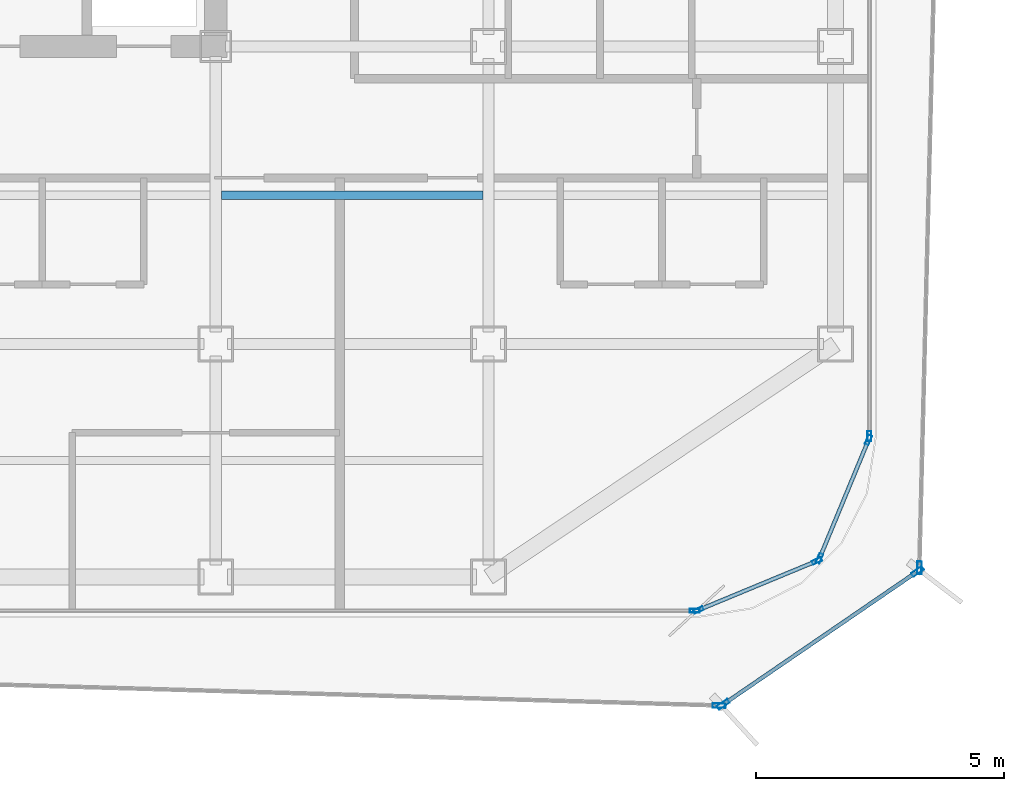
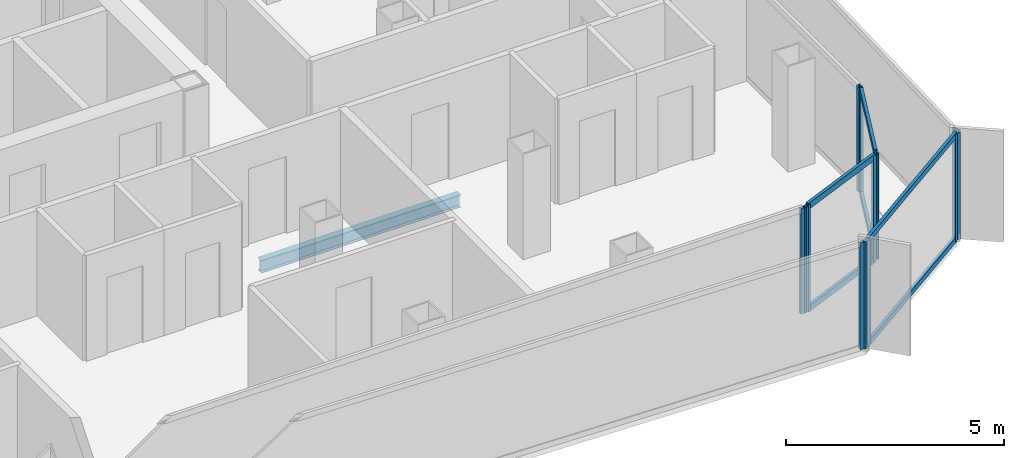
# One storey, part 4 of 15: 16 members, 1 beam, 7 elements without a shape of their own.
"""IFC4 building model written with IfcOpenShell, lengths in metres."""

import ifcopenshell
import ifcopenshell.guid

model = None  # the IFC model being written
_history = None  # IfcOwnerHistory: only IFC2X3 demands one
_inside = {}  # id of a spatial element -> (the spatial element, [elements in it])
_under = {}  # id of a project, library or spatial element -> (it, [spatial elements below it])
_declared = {}  # id of a project -> (the project, [libraries it declares])
_typed = {}  # id of a type object -> (the type object, [elements of that type])
_made_of = {}  # id of a material, layer set ... -> (it, [elements and type objects made of it])


def new_model(schema):
    """Start an empty IFC model of exactly this schema.

    Asked for "IFC4X3", IfcOpenShell would pick the latest addendum, in which some entities
    have other attributes; the version numbers below select the first issue.
    IFC2X3 requires an IfcOwnerHistory on every rooted entity: one is made here for all.
    """
    global model, _history
    if schema == "IFC4X3":
        model = ifcopenshell.file(schema_version=(4, 3, 0, 0))
    else:
        model = ifcopenshell.file(schema=schema)
    _inside.clear()
    _under.clear()
    _declared.clear()
    _typed.clear()
    _made_of.clear()
    _history = None
    if model.schema == "IFC2X3":
        org = make("IfcOrganization", Name="unknown")
        user = make(
            "IfcPersonAndOrganization",
            ThePerson=make("IfcPerson", FamilyName="unknown"),
            TheOrganization=org,
        )
        app = make(
            "IfcApplication",
            ApplicationDeveloper=org,
            Version="unknown",
            ApplicationFullName="unknown",
            ApplicationIdentifier="unknown",
        )
        _history = make(
            "IfcOwnerHistory",
            OwningUser=user,
            OwningApplication=app,
            ChangeAction="ADDED",
            CreationDate=0,
        )
    return model


def make(cls, **values):
    """One entity of the class cls with the attributes given. An attribute that is None is left unset."""
    return model.create_entity(
        cls, **{name: value for name, value in values.items() if value is not None}
    )


def rooted(cls, **values):
    """An entity with a GlobalId (a new one), such as an element, a storey or a relation."""
    return make(cls, GlobalId=ifcopenshell.guid.new(), OwnerHistory=_history, **values)


def si_unit(unit_type, name, prefix=None):
    """IfcSIUnit, for example si_unit("LENGTHUNIT", "METRE", prefix="MILLI")."""
    return make("IfcSIUnit", UnitType=unit_type, Prefix=prefix, Name=name)


def assignment(units):
    """IfcUnitAssignment: the units of a project."""
    return None if units is None else make("IfcUnitAssignment", Units=units)


def point(xyz):
    """IfcCartesianPoint."""
    return None if xyz is None else make("IfcCartesianPoint", Coordinates=xyz)


def direction(xyz):
    """IfcDirection."""
    return None if xyz is None else make("IfcDirection", DirectionRatios=xyz)


def frame(location, z_axis=None, x_axis=None):
    """IfcAxis2Placement3D, a coordinate frame: its origin and axes. An axis left out is left unset."""
    return make(
        "IfcAxis2Placement3D",
        Location=point(location),
        Axis=direction(z_axis),
        RefDirection=direction(x_axis),
    )


def frame_2d(location, x_axis=None):
    """IfcAxis2Placement2D, a coordinate frame in the plane: its origin and x axis."""
    return make(
        "IfcAxis2Placement2D", Location=point(location), RefDirection=direction(x_axis)
    )


def origin():
    """The frame at (0, 0, 0) with its axes left unset."""
    return frame((0.0, 0.0, 0.0))


def origin_2d():
    """The frame at (0, 0) in the plane with its x axis left unset."""
    return frame_2d((0.0, 0.0))


def place(relative_to, where):
    """IfcLocalPlacement: puts the frame where relative to a parent placement (None: the world)."""
    return make(
        "IfcLocalPlacement", PlacementRelTo=relative_to, RelativePlacement=where
    )


def context(
    kind, dimensions, precision=None, world=None, true_north=None, identifier=None
):
    """IfcGeometricRepresentationContext, for example the 3D "Model" context."""
    return make(
        "IfcGeometricRepresentationContext",
        ContextIdentifier=identifier,
        ContextType=kind,
        CoordinateSpaceDimension=dimensions,
        Precision=precision,
        WorldCoordinateSystem=world,
        TrueNorth=true_north,
    )


def subcontext(parent, identifier, kind, view, scale=None):
    """IfcGeometricRepresentationSubContext, for example "Body" below "Model"."""
    return make(
        "IfcGeometricRepresentationSubContext",
        ContextIdentifier=identifier,
        ContextType=kind,
        ParentContext=parent,
        TargetScale=scale,
        TargetView=view,
    )


def project(units=None, contexts=None):
    """IfcProject with its units and contexts."""
    return rooted(
        "IfcProject",
        Name="project",
        RepresentationContexts=contexts,
        UnitsInContext=assignment(units),
    )


def spatial(cls, under=None, at=None, **own):
    """A site, building, storey or space (cls), placed at a placement, below another one or the project."""
    s = rooted(cls, ObjectPlacement=at, **own)
    if under is not None:
        _under.setdefault(under.id(), (under, []))[1].append(s)
    return s


def profile(cls, at=None, kind="AREA", **sizes):
    """A parametric profile (cls). Its sizes go by their IFC names, for example OverallWidth=200.0."""
    return make(cls, ProfileType=kind, Position=at, **sizes)


def hollow_rectangle(**sizes):
    """IfcRectangleHollowProfileDef."""
    return profile("IfcRectangleHollowProfileDef", **sizes)


def i_section(**sizes):
    """IfcIShapeProfileDef."""
    return profile("IfcIShapeProfileDef", **sizes)


def extrude(swept, where, along, depth):
    """IfcExtrudedAreaSolid: the profile swept, set in the frame where, extruded along a direction by depth."""
    return make(
        "IfcExtrudedAreaSolid",
        SweptArea=swept,
        Position=where,
        ExtrudedDirection=direction(along),
        Depth=depth,
    )


def shape(context_of_items, identifier, shape_type, items):
    """IfcShapeRepresentation: the items that make up one representation, for example the "Body"."""
    return make(
        "IfcShapeRepresentation",
        ContextOfItems=context_of_items,
        RepresentationIdentifier=identifier,
        RepresentationType=shape_type,
        Items=items,
    )


def source(mapping_origin, context_of_items, identifier, shape_type, items):
    """IfcRepresentationMap: a shape defined once, which mapped items show again and again."""
    return make(
        "IfcRepresentationMap",
        MappingOrigin=mapping_origin,
        MappedRepresentation=shape(context_of_items, identifier, shape_type, items),
    )


def transform(
    local_origin,
    x_axis=None,
    y_axis=None,
    z_axis=None,
    scale=None,
    scale2=None,
    scale3=None,
    uniform=True,
):
    """IfcCartesianTransformationOperator3D, or its non-uniform kind. x_axis, y_axis, z_axis: its Axis1, 2, 3."""
    if uniform:
        return make(
            "IfcCartesianTransformationOperator3D",
            Axis1=direction(x_axis),
            Axis2=direction(y_axis),
            LocalOrigin=point(local_origin),
            Scale=scale,
            Axis3=direction(z_axis),
        )
    return make(
        "IfcCartesianTransformationOperator3DnonUniform",
        Axis1=direction(x_axis),
        Axis2=direction(y_axis),
        LocalOrigin=point(local_origin),
        Scale=scale,
        Axis3=direction(z_axis),
        Scale2=scale2,
        Scale3=scale3,
    )


def mapped(mapping_source, mapping_target):
    """IfcMappedItem: shows the shape of a source again, moved by a transform."""
    return make(
        "IfcMappedItem", MappingSource=mapping_source, MappingTarget=mapping_target
    )


def material(Name=None, Category=None):
    """IfcMaterial."""
    return make("IfcMaterial", Name=Name, Category=Category)


def layer(
    of_material, thickness, ventilated=None, Name=None, Category=None, Priority=None
):
    """IfcMaterialLayer: one layer of a wall or slab, of a material (None: an air gap)."""
    return make(
        "IfcMaterialLayer",
        Material=of_material,
        LayerThickness=thickness,
        IsVentilated=ventilated,
        Name=Name,
        Category=Category,
        Priority=Priority,
    )


def layer_set(layers, Name=None):
    """IfcMaterialLayerSet."""
    return make("IfcMaterialLayerSet", MaterialLayers=layers, LayerSetName=Name)


def material_profile(
    of_material, cross_section, Name=None, Category=None, Priority=None
):
    """IfcMaterialProfile: a cross section and its material."""
    return make(
        "IfcMaterialProfile",
        Name=Name,
        Material=of_material,
        Profile=cross_section,
        Priority=Priority,
        Category=Category,
    )


def profile_set(profiles, Name=None, composite=None):
    """IfcMaterialProfileSet."""
    return make(
        "IfcMaterialProfileSet",
        Name=Name,
        MaterialProfiles=profiles,
        CompositeProfile=composite,
    )


def made_of(thing, what):
    """Note that an element or type object is made of a material, layer set ...; save() writes the relation."""
    if what is not None:
        _made_of.setdefault(what.id(), (what, []))[1].append(thing)
    return thing


def type_object(cls, material=None, **own):
    """A type object (cls), such as IfcWallType, which elements share."""
    return made_of(rooted(cls, **own), material)


def element(
    cls,
    number,
    at=None,
    inside=None,
    cuts=None,
    type_object=None,
    material=None,
    context=None,
    identifier="Body",
    shape_type=None,
    held_by="IfcProductDefinitionShape",
    body=None,
    shapes=None,
    **own,
):
    """One element of the class cls, such as IfcWall. Its Tag is "e" and its number.

    at: its placement. inside: the storey or other place that contains it. cuts: it is an
    opening in that element (IfcRelVoidsElement). A single representation is given by context,
    identifier, shape_type and body (its items); several are given by shapes. held_by: the class
    of the entity that holds the representations. save() writes the other relations.
    """
    e = rooted(cls, Tag="e%d" % number, ObjectPlacement=at, **own)
    if body is not None:
        shapes = [shape(context, identifier, shape_type, body)]
    if shapes is not None:
        e.Representation = make(held_by, Representations=shapes)
    if inside is not None:
        _inside.setdefault(inside.id(), (inside, []))[1].append(e)
    if cuts is not None:
        rooted(
            "IfcRelVoidsElement", RelatingBuildingElement=cuts, RelatedOpeningElement=e
        )
    if type_object is not None:
        _typed.setdefault(type_object.id(), (type_object, []))[1].append(e)
    return made_of(e, material)


def aggregate(whole, parts):
    """IfcRelAggregates: a whole, such as a stair, and the parts it consists of."""
    return rooted("IfcRelAggregates", RelatingObject=whole, RelatedObjects=parts)


def save(model, path):
    """Write the relations noted so far, then the file.

    IfcRelAggregates (storeys below a building ...), IfcRelContainedInSpatialStructure (elements
    in a storey), IfcRelDefinesByType, IfcRelAssociatesMaterial and IfcRelDeclares: one each for
    every whole, place, type object, material and project.
    """
    for whole, parts in _under.values():
        aggregate(whole, parts)
    for where, things in _inside.values():
        rooted(
            "IfcRelContainedInSpatialStructure",
            RelatedElements=things,
            RelatingStructure=where,
        )
    for kind, things in _typed.values():
        rooted("IfcRelDefinesByType", RelatedObjects=things, RelatingType=kind)
    for what, things in _made_of.values():
        rooted("IfcRelAssociatesMaterial", RelatedObjects=things, RelatingMaterial=what)
    for by, libraries in _declared.values():
        rooted("IfcRelDeclares", RelatingContext=by, RelatedDefinitions=libraries)
    model.write(path)


model = new_model("IFC4")

# Units and contexts
model_context = context("Model", 3, precision=1e-05, world=origin(), true_north=direction((0.0, 1.0)))
body_context = subcontext(model_context, "Body", "Model", "MODEL_VIEW")
ifc_project = project(units=[si_unit("LENGTHUNIT", "METRE"), si_unit("AREAUNIT", "SQUARE_METRE"), si_unit("VOLUMEUNIT", "CUBIC_METRE"), si_unit("PLANEANGLEUNIT", "RADIAN"), si_unit("MASSUNIT", "GRAM", prefix="KILO")], contexts=[model_context])

# Site, building, storey
site_placement = place(None, origin())
site = spatial("IfcSite", under=ifc_project, at=site_placement, CompositionType="ELEMENT")
building_placement = place(site_placement, origin())
building = spatial("IfcBuilding", under=site, at=building_placement, Name="Kolveth Station Tower", CompositionType="ELEMENT")
storey_placement = place(building_placement, frame((0.0, 0.0, 202.800048828125)))
storey = spatial("IfcBuildingStorey", under=building, at=storey_placement, Name="L57", CompositionType="ELEMENT", Elevation=202.800048828125)

# Beam
ifc_material_1 = material(Name="Steel S355", Category="steel")
ifc_material_profile_1 = material_profile(ifc_material_1, i_section(OverallWidth=0.1708984375, OverallDepth=0.35205078125, WebThickness=0.0068359375, FlangeThickness=0.009765625, at=origin_2d()), Name="W360x44")
ifc_profile_set_1 = profile_set([ifc_material_profile_1], Name="Steel S355")
beam_type = type_object("IfcBeamType", Name="Beam_J2", PredefinedType="JOIST", material=ifc_profile_set_1)
shared_shape_1 = source(origin(), body_context, "Body", "SweptSolid", [
    extrude(i_section(OverallWidth=0.1708984375, OverallDepth=0.35205078125, WebThickness=0.0068359375, FlangeThickness=0.009765625, at=origin_2d()), origin(), (0.0, 0.0, 1.0), 5.27490234375),
])
beam_placement = place(storey_placement, frame((28.612548828125, 8.5, -0.426025390625), z_axis=(1.0, 0.0, 0.0), x_axis=(0.0, 1.0, 0.0)))
element("IfcBeam", 1, at=beam_placement, inside=storey, type_object=beam_type, Name="L57 Secondary Joist JST-L57-5-2", PredefinedType="JOIST", context=body_context, shape_type="MappedRepresentation", body=[
    mapped(shared_shape_1, transform((0.0, 0.0, 0.0), x_axis=(1.0, 0.0, 0.0), y_axis=(0.0, 1.0, 0.0), z_axis=(0.0, 0.0, 1.0), scale=1.0)),
])

# Curtain wall, members
ifc_material_2 = material(Name="Aluminium 6063-T6 and low-E dark glass", Category="aluminium")
ifc_layer_1 = layer(ifc_material_2, 0.18994140625)
ifc_layer_set_1 = layer_set([ifc_layer_1], Name="Aluminium 6063-T6 and low-E dark glass")
curtain_wall_type_1 = type_object("IfcCurtainWallType", Name="CurtainWall_CW-Z2", PredefinedType="NOTDEFINED", material=ifc_layer_set_1)
curtain_wall_1_placement = place(storey_placement, origin())
curtain_wall_1 = element("IfcCurtainWall", 2, at=curtain_wall_1_placement, inside=storey, type_object=curtain_wall_type_1, Name="L57 Inner Thermal Curtain Wall 1", PredefinedType="NOTDEFINED")
ifc_material_3 = material(Name="Black anodized aluminium 6063-T6", Category="aluminium")
ifc_material_profile_2 = material_profile(ifc_material_3, hollow_rectangle(XDim=0.080078125, YDim=0.199951171875, WallThickness=0.0048828125, at=origin_2d()), Name="ALU-80x200x5")
ifc_profile_set_2 = profile_set([ifc_material_profile_2], Name="Black anodized aluminium 6063-T6")
member_type_1 = type_object("IfcMemberType", Name="Mullion_ML2", PredefinedType="MULLION", material=ifc_profile_set_2)
shared_shape_2 = source(origin(), body_context, "Body", "SweptSolid", [
    extrude(hollow_rectangle(XDim=0.080078125, YDim=0.199951171875, WallThickness=0.0048828125, at=origin_2d()), origin(), (0.0, 0.0, 1.0), 2.949951171875),
])
member_1_placement = place(storey_placement, frame((38.237060546875, 0.13525390625, 0.0), z_axis=(0.0, 0.0, 1.0), x_axis=(-0.382697753087, 0.923873600544, 0.0)))
member_1 = element("IfcMember", 3, at=member_1_placement, type_object=member_type_1, Name="CW-Z2 mullion 1", PredefinedType="MULLION", context=body_context, shape_type="MappedRepresentation", body=[
    mapped(shared_shape_2, transform((0.0, 0.0, 0.0), x_axis=(1.0, 0.0, 0.0), y_axis=(0.0, 1.0, 0.0), z_axis=(0.0, 0.0, 1.0), scale=1.0)),
])
member_2_placement = place(storey_placement, frame((40.623779296875, 1.1240234375, 0.0), z_axis=(0.0, 0.0, 1.0), x_axis=(-0.382697753087, 0.923873600544, 0.0)))
member_2 = element("IfcMember", 4, at=member_2_placement, type_object=member_type_1, Name="CW-Z2 mullion 2", PredefinedType="MULLION", context=body_context, shape_type="MappedRepresentation", body=[
    mapped(shared_shape_2, transform((0.0, 0.0, 0.0), x_axis=(1.0, 0.0, 0.0), y_axis=(0.0, 1.0, 0.0), z_axis=(0.0, 0.0, 1.0), scale=1.0)),
])

curtain_wall_2_placement = place(storey_placement, origin())
curtain_wall_2 = element("IfcCurtainWall", 5, at=curtain_wall_2_placement, inside=storey, type_object=curtain_wall_type_1, Name="L57 Inner Thermal Curtain Wall 2", PredefinedType="NOTDEFINED")
member_3_placement = place(storey_placement, frame((40.676025390625, 1.17626953125, 0.0), z_axis=(0.0, 0.0, 1.0), x_axis=(-0.923873600544, 0.382697753087, 0.0)))
member_3 = element("IfcMember", 6, at=member_3_placement, type_object=member_type_1, Name="CW-Z2 mullion 1", PredefinedType="MULLION", context=body_context, shape_type="MappedRepresentation", body=[
    mapped(shared_shape_2, transform((0.0, 0.0, 0.0), x_axis=(1.0, 0.0, 0.0), y_axis=(0.0, 1.0, 0.0), z_axis=(0.0, 0.0, 1.0), scale=1.0)),
])
member_4_placement = place(storey_placement, frame((41.664794921875, 3.56298828125, 0.0), z_axis=(0.0, 0.0, 1.0), x_axis=(-0.923873600544, 0.382697753087, 0.0)))
member_4 = element("IfcMember", 7, at=member_4_placement, type_object=member_type_1, Name="CW-Z2 mullion 2", PredefinedType="MULLION", context=body_context, shape_type="MappedRepresentation", body=[
    mapped(shared_shape_2, transform((0.0, 0.0, 0.0), x_axis=(1.0, 0.0, 0.0), y_axis=(0.0, 1.0, 0.0), z_axis=(0.0, 0.0, 1.0), scale=1.0)),
])

# Curtain wall, member
curtain_wall_3_placement = place(storey_placement, origin())
curtain_wall_3 = element("IfcCurtainWall", 8, at=curtain_wall_3_placement, inside=storey, type_object=curtain_wall_type_1, Name="L57 Inner Thermal Curtain Wall 3", PredefinedType="NOTDEFINED")
member_5_placement = place(storey_placement, frame((41.679931640625, 3.639892578125, 0.0), z_axis=(0.0, 0.0, 1.0), x_axis=(-1.0, 0.0, 0.0)))
member_5 = element("IfcMember", 9, at=member_5_placement, type_object=member_type_1, Name="CW-Z2 mullion 1", PredefinedType="MULLION", context=body_context, shape_type="MappedRepresentation", body=[
    mapped(shared_shape_2, transform((0.0, 0.0, 0.0), x_axis=(1.0, 0.0, 0.0), y_axis=(0.0, 1.0, 0.0), z_axis=(0.0, 0.0, 1.0), scale=1.0)),
])
aggregate(curtain_wall_3, [member_5])

curtain_wall_4_placement = place(storey_placement, origin())
curtain_wall_4 = element("IfcCurtainWall", 10, at=curtain_wall_4_placement, inside=storey, type_object=curtain_wall_type_1, Name="L57 Inner Thermal Curtain Wall 12", PredefinedType="NOTDEFINED")
member_6_placement = place(storey_placement, frame((38.159912109375, 0.1201171875, 0.0), z_axis=(0.0, 0.0, 1.0), x_axis=(0.0, 1.0, 0.0)))
member_6 = element("IfcMember", 11, at=member_6_placement, type_object=member_type_1, Name="CW-Z2 mullion 2", PredefinedType="MULLION", context=body_context, shape_type="MappedRepresentation", body=[
    mapped(shared_shape_2, transform((0.0, 0.0, 0.0), x_axis=(1.0, 0.0, 0.0), y_axis=(0.0, 1.0, 0.0), z_axis=(0.0, 0.0, 1.0), scale=1.0)),
])
aggregate(curtain_wall_4, [member_6])

# Curtain wall, members
ifc_material_4 = material(Name="Black anodized aluminium 6063-T6 and dark solar glass", Category="aluminium")
ifc_layer_2 = layer(ifc_material_4, 0.159912109375)
ifc_layer_set_2 = layer_set([ifc_layer_2], Name="Black anodized aluminium 6063-T6 and dark solar glass")
curtain_wall_type_2 = type_object("IfcCurtainWallType", Name="OUTER SKIN CW-OS", PredefinedType="NOTDEFINED", material=ifc_layer_set_2)
curtain_wall_5_placement = place(storey_placement, origin())
curtain_wall_5 = element("IfcCurtainWall", 12, at=curtain_wall_5_placement, inside=storey, type_object=curtain_wall_type_2, Name="L57 Outer Ventilated Skin Curtain Wall 1", PredefinedType="NOTDEFINED")
ifc_material_profile_3 = material_profile(ifc_material_3, hollow_rectangle(XDim=0.090087890625, YDim=0.260009765625, WallThickness=0.0048828125, at=origin_2d()), Name="ALU-90x260x5")
ifc_profile_set_3 = profile_set([ifc_material_profile_3], Name="Black anodized aluminium 6063-T6")
member_type_2 = type_object("IfcMemberType", Name="FIN MULLION ML-OS", PredefinedType="MULLION", material=ifc_profile_set_3)
shared_shape_3 = source(origin(), body_context, "Body", "SweptSolid", [
    extrude(hollow_rectangle(XDim=0.090087890625, YDim=0.260009765625, WallThickness=0.0048828125, at=origin_2d()), origin(), (0.0, 0.0, 1.0), 2.989990234375),
])
member_7_placement = place(storey_placement, frame((38.733642578125, -1.76953125, 0.0), z_axis=(0.0, 0.0, 1.0), x_axis=(-0.564840897439, 0.825199830696, 0.0)))
member_7 = element("IfcMember", 13, at=member_7_placement, type_object=member_type_2, Name="CW-OS mullion 1", PredefinedType="MULLION", context=body_context, shape_type="MappedRepresentation", body=[
    mapped(shared_shape_3, transform((0.0, 0.0, 0.0), x_axis=(1.0, 0.0, 0.0), y_axis=(0.0, 1.0, 0.0), z_axis=(0.0, 0.0, 1.0), scale=1.0)),
])
member_8_placement = place(storey_placement, frame((42.654052734375, 0.9140625, 0.0), z_axis=(0.0, 0.0, 1.0), x_axis=(-0.564840897439, 0.825199830696, 0.0)))
member_8 = element("IfcMember", 14, at=member_8_placement, type_object=member_type_2, Name="CW-OS mullion 2", PredefinedType="MULLION", context=body_context, shape_type="MappedRepresentation", body=[
    mapped(shared_shape_3, transform((0.0, 0.0, 0.0), x_axis=(1.0, 0.0, 0.0), y_axis=(0.0, 1.0, 0.0), z_axis=(0.0, 0.0, 1.0), scale=1.0)),
])

# Curtain wall, member
curtain_wall_6_placement = place(storey_placement, origin())
curtain_wall_6 = element("IfcCurtainWall", 15, at=curtain_wall_6_placement, inside=storey, type_object=curtain_wall_type_2, Name="L57 Outer Ventilated Skin Curtain Wall 2", PredefinedType="NOTDEFINED")
member_9_placement = place(storey_placement, frame((42.6923828125, 0.984375, 0.0), z_axis=(0.0, 0.0, 1.0), x_axis=(-0.999690544106, 0.024876013057, 0.0)))
member_9 = element("IfcMember", 16, at=member_9_placement, type_object=member_type_2, Name="CW-OS mullion 1", PredefinedType="MULLION", context=body_context, shape_type="MappedRepresentation", body=[
    mapped(shared_shape_3, transform((0.0, 0.0, 0.0), x_axis=(1.0, 0.0, 0.0), y_axis=(0.0, 1.0, 0.0), z_axis=(0.0, 0.0, 1.0), scale=1.0)),
])
aggregate(curtain_wall_6, [member_9])

curtain_wall_7_placement = place(storey_placement, origin())
curtain_wall_7 = element("IfcCurtainWall", 17, at=curtain_wall_7_placement, inside=storey, type_object=curtain_wall_type_2, Name="L57 Outer Ventilated Skin Curtain Wall 8", PredefinedType="NOTDEFINED")
member_10_placement = place(storey_placement, frame((38.6513671875, -1.793701171875, 0.0), z_axis=(0.0, 0.0, 1.0), x_axis=(0.028907019269, 0.9995821048, 0.0)))
member_10 = element("IfcMember", 18, at=member_10_placement, type_object=member_type_2, Name="CW-OS mullion 2", PredefinedType="MULLION", context=body_context, shape_type="MappedRepresentation", body=[
    mapped(shared_shape_3, transform((0.0, 0.0, 0.0), x_axis=(1.0, 0.0, 0.0), y_axis=(0.0, 1.0, 0.0), z_axis=(0.0, 0.0, 1.0), scale=1.0)),
])
aggregate(curtain_wall_7, [member_10])

# Member
ifc_material_profile_4 = material_profile(ifc_material_3, hollow_rectangle(XDim=0.080078125, YDim=0.169921875, WallThickness=0.0048828125, at=origin_2d()), Name="ALU-80x170x5")
ifc_profile_set_4 = profile_set([ifc_material_profile_4], Name="Black anodized aluminium 6063-T6")
member_type_3 = type_object("IfcMemberType", Name="Transom_TR2", PredefinedType="USERDEFINED", material=ifc_profile_set_4)
shared_shape_4 = source(origin(), body_context, "Body", "SweptSolid", [
    extrude(hollow_rectangle(XDim=0.080078125, YDim=0.169921875, WallThickness=0.0048828125, at=origin_2d()), origin(), (0.0, 0.0, 1.0), 2.50341796875),
])
member_11_placement = place(storey_placement, frame((38.27392578125, 0.150634765625, 0.0400390625), z_axis=(0.923874190494, 0.382696328882, 0.0), x_axis=(-0.382696328882, 0.923874190494, 0.0)))
member_11 = element("IfcMember", 19, at=member_11_placement, type_object=member_type_3, Name="CW-Z2 transom 1.1", ObjectType="TRANSOM", PredefinedType="USERDEFINED", context=body_context, shape_type="MappedRepresentation", body=[
    mapped(shared_shape_4, transform((0.0, 0.0, 0.0), x_axis=(1.0, 0.0, 0.0), y_axis=(0.0, 1.0, 0.0), z_axis=(0.0, 0.0, 1.0), scale=1.0)),
])

member_12_placement = place(storey_placement, frame((38.27392578125, 0.150634765625, 2.909912109375), z_axis=(0.923874190494, 0.382696328882, 0.0), x_axis=(-0.382696328882, 0.923874190494, 0.0)))
member_12 = element("IfcMember", 20, at=member_12_placement, type_object=member_type_3, Name="CW-Z2 transom 1.2", ObjectType="TRANSOM", PredefinedType="USERDEFINED", context=body_context, shape_type="MappedRepresentation", body=[
    mapped(shared_shape_4, transform((0.0, 0.0, 0.0), x_axis=(1.0, 0.0, 0.0), y_axis=(0.0, 1.0, 0.0), z_axis=(0.0, 0.0, 1.0), scale=1.0)),
])

aggregate(curtain_wall_1, [member_1, member_2, member_11, member_12])

member_13_placement = place(storey_placement, frame((40.69140625, 1.213134765625, 0.0400390625), z_axis=(0.382661849723, 0.923888472039, 0.0), x_axis=(-0.923888472039, 0.382661849723, 0.0)))
member_13 = element("IfcMember", 21, at=member_13_placement, type_object=member_type_3, Name="CW-Z2 transom 1.1", ObjectType="TRANSOM", PredefinedType="USERDEFINED", context=body_context, shape_type="MappedRepresentation", body=[
    mapped(shared_shape_4, transform((0.0, 0.0, 0.0), x_axis=(1.0, 0.0, 0.0), y_axis=(0.0, 1.0, 0.0), z_axis=(0.0, 0.0, 1.0), scale=1.0)),
])

member_14_placement = place(storey_placement, frame((40.69140625, 1.213134765625, 2.909912109375), z_axis=(0.382661849723, 0.923888472039, 0.0), x_axis=(-0.923888472039, 0.382661849723, 0.0)))
member_14 = element("IfcMember", 22, at=member_14_placement, type_object=member_type_3, Name="CW-Z2 transom 1.2", ObjectType="TRANSOM", PredefinedType="USERDEFINED", context=body_context, shape_type="MappedRepresentation", body=[
    mapped(shared_shape_4, transform((0.0, 0.0, 0.0), x_axis=(1.0, 0.0, 0.0), y_axis=(0.0, 1.0, 0.0), z_axis=(0.0, 0.0, 1.0), scale=1.0)),
])

aggregate(curtain_wall_2, [member_3, member_4, member_13, member_14])

ifc_material_profile_5 = material_profile(ifc_material_3, hollow_rectangle(XDim=0.080078125, YDim=0.14990234375, WallThickness=0.0048828125, at=origin_2d()), Name="ALU-80x150x5")
ifc_profile_set_5 = profile_set([ifc_material_profile_5], Name="Black anodized aluminium 6063-T6")
member_type_4 = type_object("IfcMemberType", Name="Transom_TR-OS", PredefinedType="USERDEFINED", material=ifc_profile_set_5)
shared_shape_5 = source(origin(), body_context, "Body", "SweptSolid", [
    extrude(hollow_rectangle(XDim=0.080078125, YDim=0.14990234375, WallThickness=0.0048828125, at=origin_2d()), origin(), (0.0, 0.0, 1.0), 4.660888671875),
])
member_15_placement = place(storey_placement, frame((38.770751953125, -1.744140625, 0.0400390625), z_axis=(0.825186473062, 0.564860411673, 0.0), x_axis=(-0.564860411673, 0.825186473062, 0.0)))
member_15 = element("IfcMember", 23, at=member_15_placement, type_object=member_type_4, Name="CW-OS transom 1.1", ObjectType="TRANSOM", PredefinedType="USERDEFINED", context=body_context, shape_type="MappedRepresentation", body=[
    mapped(shared_shape_5, transform((0.0, 0.0, 0.0), x_axis=(1.0, 0.0, 0.0), y_axis=(0.0, 1.0, 0.0), z_axis=(0.0, 0.0, 1.0), scale=1.0)),
])

member_16_placement = place(storey_placement, frame((38.770751953125, -1.744140625, 2.949951171875), z_axis=(0.825186473062, 0.564860411673, 0.0), x_axis=(-0.564860411673, 0.825186473062, 0.0)))
member_16 = element("IfcMember", 24, at=member_16_placement, type_object=member_type_4, Name="CW-OS transom 1.2", ObjectType="TRANSOM", PredefinedType="USERDEFINED", context=body_context, shape_type="MappedRepresentation", body=[
    mapped(shared_shape_5, transform((0.0, 0.0, 0.0), x_axis=(1.0, 0.0, 0.0), y_axis=(0.0, 1.0, 0.0), z_axis=(0.0, 0.0, 1.0), scale=1.0)),
])

aggregate(curtain_wall_5, [member_7, member_8, member_15, member_16])

save(model, "model.ifc")
